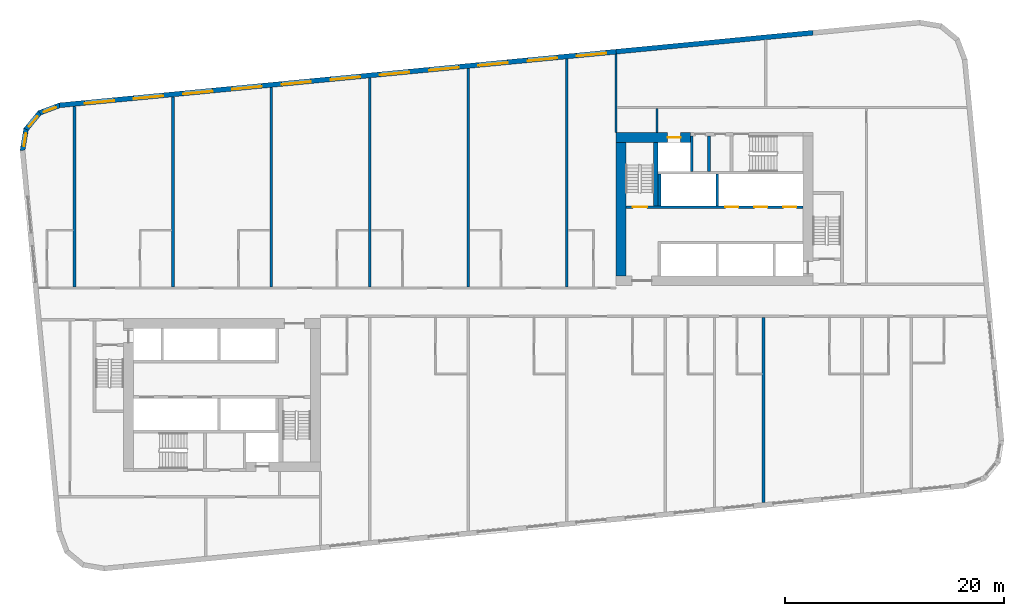
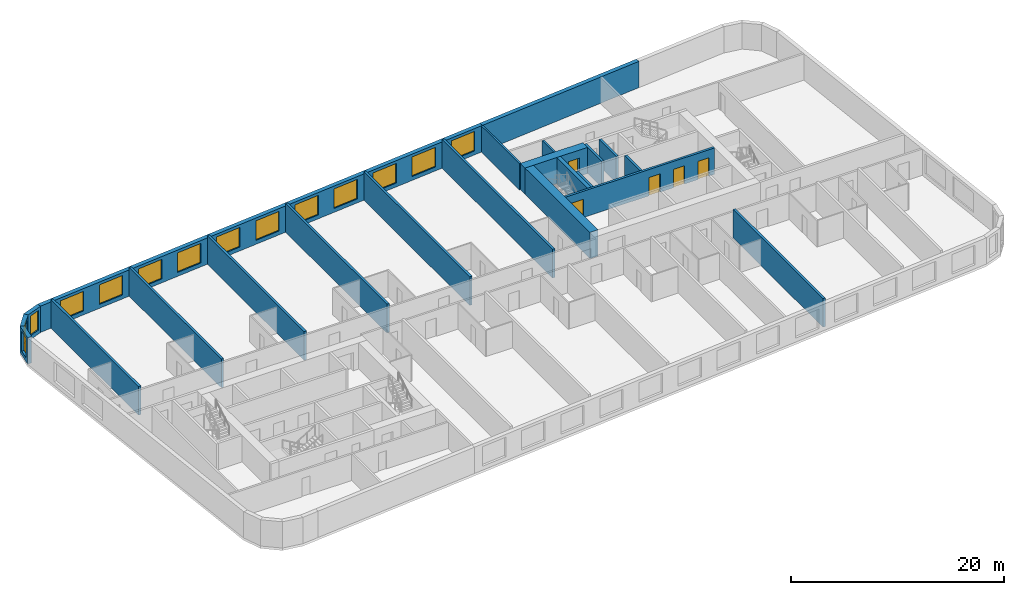
# One storey, part 6 of 12: 22 walls, 14 windows, 5 doors, 19 openings.
"""IFC4 building model written with IfcOpenShell, lengths in metres."""

from ifc_helpers import new_model, si_unit, direction, frame, frame_2d, origin, place, context, subcontext, project, spatial, polyline, rectangle, outline, extrude, material, layer, layer_set, type_object, element, fill, save


model = new_model("IFC4")

# Units and contexts
model_context = context("Model", 3, precision=1e-05, world=origin(), true_north=direction((0.0, 1.0)))
body_context = subcontext(model_context, "Body", "Model", "MODEL_VIEW")
ifc_project = project(units=[si_unit("LENGTHUNIT", "METRE"), si_unit("AREAUNIT", "SQUARE_METRE"), si_unit("VOLUMEUNIT", "CUBIC_METRE"), si_unit("PLANEANGLEUNIT", "RADIAN"), si_unit("MASSUNIT", "GRAM", prefix="KILO")], contexts=[model_context])

# Site, building, storey
site_placement = place(None, origin())
site = spatial("IfcSite", under=ifc_project, at=site_placement, CompositionType="ELEMENT")
building_placement = place(site_placement, origin())
building = spatial("IfcBuilding", under=site, at=building_placement, Name="Kajstack Hotel Tower", CompositionType="ELEMENT")
storey_placement = place(building_placement, frame((0.0, 0.0, 143.800048828125)))
storey = spatial("IfcBuildingStorey", under=building, at=storey_placement, Name="L33", CompositionType="ELEMENT", Elevation=143.800048828125)

# Wall, opening, door
ifc_material_1 = material(Name="Concrete C60/75", Category="concrete")
ifc_layer_1 = layer(ifc_material_1, 0.89990234375)
ifc_layer_set_1 = layer_set([ifc_layer_1], Name="Core wall 900")
wall_type_1 = type_object("IfcWallType", Name="Core wall 900", PredefinedType="SHEAR", material=ifc_layer_set_1)
wall_1_placement = place(storey_placement, frame((13.5, 15.050048828125, 0.0), z_axis=(0.0, 0.0, 1.0), x_axis=(1.0, 0.0, 0.0)))
wall_1 = element("IfcWall", 1, at=wall_1_placement, inside=storey, type_object=wall_type_1, Name="Core wall E RS", PredefinedType="SHEAR", context=body_context, shape_type="SweptSolid", body=[
    extrude(rectangle(XDim=6.800048828125, YDim=0.89990234375, at=frame_2d((3.39990234375, 0.0))), origin(), (0.0, 0.0, 1.0), 3.02001953125),
])
opening_1_placement = place(wall_1_placement, frame((4.72509765625, 0.0, 0.0)))
opening_1 = element("IfcOpeningElement", 2, at=opening_1_placement, cuts=wall_1, Name="Opening LD-SV2", PredefinedType="OPENING", context=body_context, shape_type="SweptSolid", body=[
    extrude(rectangle(XDim=1.199951171875, YDim=2.10009765625, at=frame_2d((0.60009765625, 1.050048828125))), frame((0.0, 0.4599609375, 0.0), z_axis=(0.0, -1.0, 0.0), x_axis=(1.0, 0.0, 0.0)), (0.0, 0.0, 1.0), 0.919921875),
])
ifc_material_2 = material(Name="Stainless steel", Category="steel")
door_type_1 = type_object("IfcDoorType", Name="Lift landing door 1200", OperationType="SLIDING_TO_LEFT", PredefinedType="DOOR", material=ifc_material_2)
door_1_placement = place(opening_1_placement, origin())
door_1 = element("IfcDoor", 3, at=door_1_placement, inside=storey, type_object=door_type_1, Name="Landing door SV2", OperationType="SLIDING_TO_LEFT", OverallHeight=2.10009765625, OverallWidth=1.199951171875, PredefinedType="DOOR", context=body_context, shape_type="SweptSolid", body=[
    extrude(rectangle(XDim=1.199951171875, YDim=2.10009765625, at=frame_2d((0.60009765625, 1.050048828125))), frame((0.0, 0.02490234375, 0.0), z_axis=(0.0, -1.0, 0.0), x_axis=(1.0, 0.0, 0.0)), (0.0, 0.0, 1.0), 0.050048828125),
])
fill(opening_1, door_1)

# Walls
wall_2_placement = place(storey_placement, frame((13.949951171875, 2.39990234375, 0.0), z_axis=(0.0, 0.0, 1.0), x_axis=(0.0, 1.0, 0.0)))
element("IfcWall", 4, at=wall_2_placement, inside=storey, type_object=wall_type_1, Name="Core wall E RE", PredefinedType="SHEAR", context=body_context, shape_type="SweptSolid", body=[
    extrude(rectangle(XDim=12.2001953125, YDim=0.89990234375, at=frame_2d((6.10009765625, 0.0))), origin(), (0.0, 0.0, 1.0), 3.02001953125),
])
ifc_material_3 = material(Name="Twin-frame gypsum board on steel studs, mineral wool", Category="steel")
ifc_layer_2 = layer(ifc_material_3, 0.199951171875)
ifc_layer_set_2 = layer_set([ifc_layer_2], Name="Demising wall 200")
wall_type_2 = type_object("IfcWallType", Name="Demising wall 200", PredefinedType="PARTITIONING", material=ifc_layer_set_2)
wall_3_placement = place(storey_placement, frame((13.5, 15.5, 0.0), z_axis=(0.0, 0.0, 1.0), x_axis=(0.0, 1.0, 0.0)))
element("IfcWall", 5, at=wall_3_placement, inside=storey, type_object=wall_type_2, Name="G-wall-L33-001", PredefinedType="PARTITIONING", context=body_context, shape_type="SweptSolid", body=[
    extrude(rectangle(XDim=7.162109375, YDim=0.199951171875, at=frame_2d((3.5810546875, 0.0))), origin(), (0.0, 0.0, 1.0), 3.02001953125),
])
ifc_material_4 = material(Name="Concrete C40/50", Category="concrete")
ifc_layer_3 = layer(ifc_material_4, 0.449951171875)
ifc_layer_set_3 = layer_set([ifc_layer_3], Name="EW-CORE")
wall_type_3 = type_object("IfcWallType", Name="EW-CORE", PredefinedType="SOLIDWALL", material=ifc_layer_set_3)
wall_4_placement = place(storey_placement, frame((31.521484375, 24.623291015625, 0.0), z_axis=(0.0, 0.0, 1.0), x_axis=(-0.995396454615, -0.095843091245, 0.0)))
element("IfcWall", 6, at=wall_4_placement, inside=storey, type_object=wall_type_3, Name="E-wall-L33-12-01", PredefinedType="SOLIDWALL", context=body_context, shape_type="SweptSolid", body=[
    extrude(rectangle(XDim=18.083251953125, YDim=0.449951171875, at=frame_2d((9.04150390625, 0.0))), origin(), (0.0, 0.0, 1.0), 3.02001953125),
])

# Wall, openings, windows
ifc_material_5 = material(Name="Terracotta-faced brick masonry", Category="masonry")
ifc_layer_4 = layer(ifc_material_5, 0.449951171875)
ifc_layer_set_4 = layer_set([ifc_layer_4], Name="EW-TERRA")
wall_type_4 = type_object("IfcWallType", Name="EW-TERRA", PredefinedType="SOLIDWALL", material=ifc_layer_set_4)
wall_5_placement = place(storey_placement, frame((13.521484375, 22.89013671875, 0.0), z_axis=(0.0, 0.0, 1.0), x_axis=(-0.995396445054, -0.095843190545, 0.0)))
wall_5 = element("IfcWall", 7, at=wall_5_placement, inside=storey, type_object=wall_type_4, Name="E-wall-L33-12-02", PredefinedType="SOLIDWALL", context=body_context, shape_type="SweptSolid", body=[
    extrude(rectangle(XDim=51.114013671875, YDim=0.449951171875, at=frame_2d((25.55712890625, 0.0))), origin(), (0.0, 0.0, 1.0), 3.02001953125),
])
opening_2_placement = place(wall_5_placement, frame((0.910400390625, 0.0, 0.449951171875)))
opening_2 = element("IfcOpeningElement", 8, at=opening_2_placement, cuts=wall_5, Name="Opening W1", PredefinedType="OPENING", context=body_context, shape_type="SweptSolid", body=[
    extrude(rectangle(XDim=2.699951171875, YDim=2.25, at=frame_2d((1.35009765625, 1.125))), frame((0.0, 0.23486328125, 0.0), z_axis=(0.0, -1.0, 0.0), x_axis=(1.0, 0.0, 0.0)), (0.0, 0.0, 1.0), 0.469970703125),
])
opening_3_placement = place(wall_5_placement, frame((5.43115234375, 0.0, 0.449951171875)))
opening_3 = element("IfcOpeningElement", 9, at=opening_3_placement, cuts=wall_5, Name="Opening W1", PredefinedType="OPENING", context=body_context, shape_type="SweptSolid", body=[
    extrude(rectangle(XDim=2.699951171875, YDim=2.25, at=frame_2d((1.35009765625, 1.125))), frame((0.0, 0.23486328125, 0.0), z_axis=(0.0, -1.0, 0.0), x_axis=(1.0, 0.0, 0.0)), (0.0, 0.0, 1.0), 0.469970703125),
])
opening_4_placement = place(wall_5_placement, frame((9.951904296875, 0.0, 0.449951171875)))
opening_4 = element("IfcOpeningElement", 10, at=opening_4_placement, cuts=wall_5, Name="Opening W1", PredefinedType="OPENING", context=body_context, shape_type="SweptSolid", body=[
    extrude(rectangle(XDim=2.699951171875, YDim=2.25, at=frame_2d((1.35009765625, 1.125))), frame((0.0, 0.23486328125, 0.0), z_axis=(0.0, -1.0, 0.0), x_axis=(1.0, 0.0, 0.0)), (0.0, 0.0, 1.0), 0.469970703125),
])
opening_5_placement = place(wall_5_placement, frame((14.472900390625, 0.0, 0.449951171875)))
opening_5 = element("IfcOpeningElement", 11, at=opening_5_placement, cuts=wall_5, Name="Opening W1", PredefinedType="OPENING", context=body_context, shape_type="SweptSolid", body=[
    extrude(rectangle(XDim=2.699951171875, YDim=2.25, at=frame_2d((1.35009765625, 1.125))), frame((0.0, 0.23486328125, 0.0), z_axis=(0.0, -1.0, 0.0), x_axis=(1.0, 0.0, 0.0)), (0.0, 0.0, 1.0), 0.469970703125),
])
opening_6_placement = place(wall_5_placement, frame((18.99365234375, 0.0, 0.449951171875)))
opening_6 = element("IfcOpeningElement", 12, at=opening_6_placement, cuts=wall_5, Name="Opening W1", PredefinedType="OPENING", context=body_context, shape_type="SweptSolid", body=[
    extrude(rectangle(XDim=2.699951171875, YDim=2.25, at=frame_2d((1.35009765625, 1.125))), frame((0.0, 0.23486328125, 0.0), z_axis=(0.0, -1.0, 0.0), x_axis=(1.0, 0.0, 0.0)), (0.0, 0.0, 1.0), 0.469970703125),
])
opening_7_placement = place(wall_5_placement, frame((23.514404296875, 0.0, 0.449951171875)))
opening_7 = element("IfcOpeningElement", 13, at=opening_7_placement, cuts=wall_5, Name="Opening W1", PredefinedType="OPENING", context=body_context, shape_type="SweptSolid", body=[
    extrude(rectangle(XDim=2.699951171875, YDim=2.25, at=frame_2d((1.35009765625, 1.125))), frame((0.0, 0.23486328125, 0.0), z_axis=(0.0, -1.0, 0.0), x_axis=(1.0, 0.0, 0.0)), (0.0, 0.0, 1.0), 0.469970703125),
])
opening_8_placement = place(wall_5_placement, frame((28.035400390625, 0.0, 0.449951171875)))
opening_8 = element("IfcOpeningElement", 14, at=opening_8_placement, cuts=wall_5, Name="Opening W1", PredefinedType="OPENING", context=body_context, shape_type="SweptSolid", body=[
    extrude(rectangle(XDim=2.699951171875, YDim=2.25, at=frame_2d((1.35009765625, 1.125))), frame((0.0, 0.23486328125, 0.0), z_axis=(0.0, -1.0, 0.0), x_axis=(1.0, 0.0, 0.0)), (0.0, 0.0, 1.0), 0.469970703125),
])
opening_9_placement = place(wall_5_placement, frame((32.55615234375, 0.0, 0.449951171875)))
opening_9 = element("IfcOpeningElement", 15, at=opening_9_placement, cuts=wall_5, Name="Opening W1", PredefinedType="OPENING", context=body_context, shape_type="SweptSolid", body=[
    extrude(rectangle(XDim=2.699951171875, YDim=2.25, at=frame_2d((1.35009765625, 1.125))), frame((0.0, 0.23486328125, 0.0), z_axis=(0.0, -1.0, 0.0), x_axis=(1.0, 0.0, 0.0)), (0.0, 0.0, 1.0), 0.469970703125),
])
opening_10_placement = place(wall_5_placement, frame((37.076904296875, 0.0, 0.449951171875)))
opening_10 = element("IfcOpeningElement", 16, at=opening_10_placement, cuts=wall_5, Name="Opening W1", PredefinedType="OPENING", context=body_context, shape_type="SweptSolid", body=[
    extrude(rectangle(XDim=2.699951171875, YDim=2.25, at=frame_2d((1.35009765625, 1.125))), frame((0.0, 0.23486328125, 0.0), z_axis=(0.0, -1.0, 0.0), x_axis=(1.0, 0.0, 0.0)), (0.0, 0.0, 1.0), 0.469970703125),
])
opening_11_placement = place(wall_5_placement, frame((41.59765625, 0.0, 0.449951171875)))
opening_11 = element("IfcOpeningElement", 17, at=opening_11_placement, cuts=wall_5, Name="Opening W1", PredefinedType="OPENING", context=body_context, shape_type="SweptSolid", body=[
    extrude(rectangle(XDim=2.699951171875, YDim=2.25, at=frame_2d((1.35009765625, 1.125))), frame((0.0, 0.23486328125, 0.0), z_axis=(0.0, -1.0, 0.0), x_axis=(1.0, 0.0, 0.0)), (0.0, 0.0, 1.0), 0.469970703125),
])
opening_12_placement = place(wall_5_placement, frame((46.118408203125, 0.0, 0.449951171875)))
opening_12 = element("IfcOpeningElement", 18, at=opening_12_placement, cuts=wall_5, Name="Opening W1", PredefinedType="OPENING", context=body_context, shape_type="SweptSolid", body=[
    extrude(rectangle(XDim=2.699951171875, YDim=2.25, at=frame_2d((1.35009765625, 1.125))), frame((0.0, 0.23486328125, 0.0), z_axis=(0.0, -1.0, 0.0), x_axis=(1.0, 0.0, 0.0)), (0.0, 0.0, 1.0), 0.469970703125),
])
ifc_material_6 = material(Name="Timber-aluminium window, triple glazed", Category="wood")
window_type_1 = type_object("IfcWindowType", Name="WG1", PartitioningType="SINGLE_PANEL", PredefinedType="WINDOW", material=ifc_material_6)
window_1_placement = place(opening_2_placement, origin())
window_1 = element("IfcWindow", 19, at=window_1_placement, inside=storey, type_object=window_type_1, Name="Window W1 L33-12", OverallHeight=2.25, OverallWidth=2.699951171875, PartitioningType="SINGLE_PANEL", PredefinedType="WINDOW", context=body_context, shape_type="SweptSolid", body=[
    extrude(rectangle(XDim=2.699951171875, YDim=2.25, at=frame_2d((1.35009765625, 1.125))), frame((0.0, 0.090087890625, 0.0), z_axis=(0.0, -1.0, 0.0), x_axis=(1.0, 0.0, 0.0)), (0.0, 0.0, 1.0), 0.06005859375),
])
fill(opening_2, window_1)
window_2_placement = place(opening_3_placement, origin())
window_2 = element("IfcWindow", 20, at=window_2_placement, inside=storey, type_object=window_type_1, Name="Window W1 L33-12", OverallHeight=2.25, OverallWidth=2.699951171875, PartitioningType="SINGLE_PANEL", PredefinedType="WINDOW", context=body_context, shape_type="SweptSolid", body=[
    extrude(rectangle(XDim=2.699951171875, YDim=2.25, at=frame_2d((1.35009765625, 1.125))), frame((0.0, 0.090087890625, 0.0), z_axis=(0.0, -1.0, 0.0), x_axis=(1.0, 0.0, 0.0)), (0.0, 0.0, 1.0), 0.06005859375),
])
fill(opening_3, window_2)
window_3_placement = place(opening_4_placement, origin())
window_3 = element("IfcWindow", 21, at=window_3_placement, inside=storey, type_object=window_type_1, Name="Window W1 L33-12", OverallHeight=2.25, OverallWidth=2.699951171875, PartitioningType="SINGLE_PANEL", PredefinedType="WINDOW", context=body_context, shape_type="SweptSolid", body=[
    extrude(rectangle(XDim=2.699951171875, YDim=2.25, at=frame_2d((1.35009765625, 1.125))), frame((0.0, 0.090087890625, 0.0), z_axis=(0.0, -1.0, 0.0), x_axis=(1.0, 0.0, 0.0)), (0.0, 0.0, 1.0), 0.06005859375),
])
fill(opening_4, window_3)
window_4_placement = place(opening_5_placement, origin())
window_4 = element("IfcWindow", 22, at=window_4_placement, inside=storey, type_object=window_type_1, Name="Window W1 L33-12", OverallHeight=2.25, OverallWidth=2.699951171875, PartitioningType="SINGLE_PANEL", PredefinedType="WINDOW", context=body_context, shape_type="SweptSolid", body=[
    extrude(rectangle(XDim=2.699951171875, YDim=2.25, at=frame_2d((1.35009765625, 1.125))), frame((0.0, 0.090087890625, 0.0), z_axis=(0.0, -1.0, 0.0), x_axis=(1.0, 0.0, 0.0)), (0.0, 0.0, 1.0), 0.06005859375),
])
fill(opening_5, window_4)
window_5_placement = place(opening_6_placement, origin())
window_5 = element("IfcWindow", 23, at=window_5_placement, inside=storey, type_object=window_type_1, Name="Window W1 L33-12", OverallHeight=2.25, OverallWidth=2.699951171875, PartitioningType="SINGLE_PANEL", PredefinedType="WINDOW", context=body_context, shape_type="SweptSolid", body=[
    extrude(rectangle(XDim=2.699951171875, YDim=2.25, at=frame_2d((1.35009765625, 1.125))), frame((0.0, 0.090087890625, 0.0), z_axis=(0.0, -1.0, 0.0), x_axis=(1.0, 0.0, 0.0)), (0.0, 0.0, 1.0), 0.06005859375),
])
fill(opening_6, window_5)
window_6_placement = place(opening_7_placement, origin())
window_6 = element("IfcWindow", 24, at=window_6_placement, inside=storey, type_object=window_type_1, Name="Window W1 L33-12", OverallHeight=2.25, OverallWidth=2.699951171875, PartitioningType="SINGLE_PANEL", PredefinedType="WINDOW", context=body_context, shape_type="SweptSolid", body=[
    extrude(rectangle(XDim=2.699951171875, YDim=2.25, at=frame_2d((1.35009765625, 1.125))), frame((0.0, 0.090087890625, 0.0), z_axis=(0.0, -1.0, 0.0), x_axis=(1.0, 0.0, 0.0)), (0.0, 0.0, 1.0), 0.06005859375),
])
fill(opening_7, window_6)
window_7_placement = place(opening_8_placement, origin())
window_7 = element("IfcWindow", 25, at=window_7_placement, inside=storey, type_object=window_type_1, Name="Window W1 L33-12", OverallHeight=2.25, OverallWidth=2.699951171875, PartitioningType="SINGLE_PANEL", PredefinedType="WINDOW", context=body_context, shape_type="SweptSolid", body=[
    extrude(rectangle(XDim=2.699951171875, YDim=2.25, at=frame_2d((1.35009765625, 1.125))), frame((0.0, 0.090087890625, 0.0), z_axis=(0.0, -1.0, 0.0), x_axis=(1.0, 0.0, 0.0)), (0.0, 0.0, 1.0), 0.06005859375),
])
fill(opening_8, window_7)
window_8_placement = place(opening_9_placement, origin())
window_8 = element("IfcWindow", 26, at=window_8_placement, inside=storey, type_object=window_type_1, Name="Window W1 L33-12", OverallHeight=2.25, OverallWidth=2.699951171875, PartitioningType="SINGLE_PANEL", PredefinedType="WINDOW", context=body_context, shape_type="SweptSolid", body=[
    extrude(rectangle(XDim=2.699951171875, YDim=2.25, at=frame_2d((1.35009765625, 1.125))), frame((0.0, 0.090087890625, 0.0), z_axis=(0.0, -1.0, 0.0), x_axis=(1.0, 0.0, 0.0)), (0.0, 0.0, 1.0), 0.06005859375),
])
fill(opening_9, window_8)
window_9_placement = place(opening_10_placement, origin())
window_9 = element("IfcWindow", 27, at=window_9_placement, inside=storey, type_object=window_type_1, Name="Window W1 L33-12", OverallHeight=2.25, OverallWidth=2.699951171875, PartitioningType="SINGLE_PANEL", PredefinedType="WINDOW", context=body_context, shape_type="SweptSolid", body=[
    extrude(rectangle(XDim=2.699951171875, YDim=2.25, at=frame_2d((1.35009765625, 1.125))), frame((0.0, 0.090087890625, 0.0), z_axis=(0.0, -1.0, 0.0), x_axis=(1.0, 0.0, 0.0)), (0.0, 0.0, 1.0), 0.06005859375),
])
fill(opening_10, window_9)
window_10_placement = place(opening_11_placement, origin())
window_10 = element("IfcWindow", 28, at=window_10_placement, inside=storey, type_object=window_type_1, Name="Window W1 L33-12", OverallHeight=2.25, OverallWidth=2.699951171875, PartitioningType="SINGLE_PANEL", PredefinedType="WINDOW", context=body_context, shape_type="SweptSolid", body=[
    extrude(rectangle(XDim=2.699951171875, YDim=2.25, at=frame_2d((1.35009765625, 1.125))), frame((0.0, 0.090087890625, 0.0), z_axis=(0.0, -1.0, 0.0), x_axis=(1.0, 0.0, 0.0)), (0.0, 0.0, 1.0), 0.06005859375),
])
fill(opening_11, window_10)
window_11_placement = place(opening_12_placement, origin())
window_11 = element("IfcWindow", 29, at=window_11_placement, inside=storey, type_object=window_type_1, Name="Window W1 L33-12", OverallHeight=2.25, OverallWidth=2.699951171875, PartitioningType="SINGLE_PANEL", PredefinedType="WINDOW", context=body_context, shape_type="SweptSolid", body=[
    extrude(rectangle(XDim=2.699951171875, YDim=2.25, at=frame_2d((1.35009765625, 1.125))), frame((0.0, 0.090087890625, 0.0), z_axis=(0.0, -1.0, 0.0), x_axis=(1.0, 0.0, 0.0)), (0.0, 0.0, 1.0), 0.06005859375),
])
fill(opening_12, window_11)

# Wall, opening, window
wall_6_placement = place(storey_placement, frame((-37.300048828125, 18.00439453125, 0.0), z_axis=(0.0, 0.0, 1.0), x_axis=(-0.936677599948, -0.350192909346, 0.0)))
wall_6 = element("IfcWall", 30, at=wall_6_placement, inside=storey, type_object=wall_type_4, Name="E-wall-L33-13-00", PredefinedType="SOLIDWALL", context=body_context, shape_type="SweptSolid", body=[
    extrude(outline(polyline([(0.0, -0.224853515625), (2.070556640625, -0.224853515625), (1.949951171875, 0.22509765625), (0.12060546875, 0.22509765625), (0.0, -0.224853515625)])), origin(), (0.0, 0.0, 1.0), 3.02001953125),
])
opening_13_placement = place(wall_6_placement, frame((0.435302734375, 0.0, 0.449951171875)))
opening_13 = element("IfcOpeningElement", 31, at=opening_13_placement, cuts=wall_6, Name="Opening W3", PredefinedType="OPENING", context=body_context, shape_type="SweptSolid", body=[
    extrude(rectangle(XDim=1.199951171875, YDim=2.25, at=frame_2d((0.60009765625, 1.125))), frame((0.0, 0.23486328125, 0.0), z_axis=(0.0, -1.0, 0.0), x_axis=(1.0, 0.0, 0.0)), (0.0, 0.0, 1.0), 0.469970703125),
])
window_type_2 = type_object("IfcWindowType", Name="WG3", PartitioningType="SINGLE_PANEL", PredefinedType="WINDOW", material=ifc_material_6)
window_12_placement = place(opening_13_placement, origin())
window_12 = element("IfcWindow", 32, at=window_12_placement, inside=storey, type_object=window_type_2, Name="Window W3 L33-13", OverallHeight=2.25, OverallWidth=1.199951171875, PartitioningType="SINGLE_PANEL", PredefinedType="WINDOW", context=body_context, shape_type="SweptSolid", body=[
    extrude(rectangle(XDim=1.199951171875, YDim=2.25, at=frame_2d((0.60009765625, 1.125))), frame((0.0, 0.090087890625, 0.0), z_axis=(0.0, -1.0, 0.0), x_axis=(1.0, 0.0, 0.0)), (0.0, 0.0, 1.0), 0.06005859375),
])
fill(opening_13, window_12)

wall_7_placement = place(storey_placement, frame((-39.144775390625, 17.346923828125, 0.0), z_axis=(0.0, 0.0, 1.0), x_axis=(-0.636046112757, -0.771651049663, 0.0)))
wall_7 = element("IfcWall", 33, at=wall_7_placement, inside=storey, type_object=wall_type_4, Name="E-wall-L33-14-00", PredefinedType="SOLIDWALL", context=body_context, shape_type="SweptSolid", body=[
    extrude(outline(polyline([(0.0, -0.224853515625), (2.070556640625, -0.224853515625), (1.949951171875, 0.22509765625), (0.12060546875, 0.22509765625), (0.0, -0.224853515625)])), origin(), (0.0, 0.0, 1.0), 3.02001953125),
])
opening_14_placement = place(wall_7_placement, frame((0.435302734375, 0.0, 0.449951171875)))
opening_14 = element("IfcOpeningElement", 34, at=opening_14_placement, cuts=wall_7, Name="Opening W3", PredefinedType="OPENING", context=body_context, shape_type="SweptSolid", body=[
    extrude(rectangle(XDim=1.199951171875, YDim=2.25, at=frame_2d((0.60009765625, 1.125))), frame((0.0, 0.23486328125, 0.0), z_axis=(0.0, -1.0, 0.0), x_axis=(1.0, 0.0, 0.0)), (0.0, 0.0, 1.0), 0.469970703125),
])
window_13_placement = place(opening_14_placement, origin())
window_13 = element("IfcWindow", 35, at=window_13_placement, inside=storey, type_object=window_type_2, Name="Window W3 L33-14", OverallHeight=2.25, OverallWidth=1.199951171875, PartitioningType="SINGLE_PANEL", PredefinedType="WINDOW", context=body_context, shape_type="SweptSolid", body=[
    extrude(rectangle(XDim=1.199951171875, YDim=2.25, at=frame_2d((0.60009765625, 1.125))), frame((0.0, 0.090087890625, 0.0), z_axis=(0.0, -1.0, 0.0), x_axis=(1.0, 0.0, 0.0)), (0.0, 0.0, 1.0), 0.06005859375),
])
fill(opening_14, window_13)

wall_8_placement = place(storey_placement, frame((-40.413330078125, 15.855224609375, 0.0), z_axis=(0.0, 0.0, 1.0), x_axis=(-0.165068144653, -0.986282164302, 0.0)))
wall_8 = element("IfcWall", 36, at=wall_8_placement, inside=storey, type_object=wall_type_4, Name="E-wall-L33-15-00", PredefinedType="SOLIDWALL", context=body_context, shape_type="SweptSolid", body=[
    extrude(outline(polyline([(0.0, -0.22509765625), (2.070556640625, -0.224853515625), (1.9501953125, 0.22509765625), (0.12060546875, 0.224853515625), (0.0, -0.22509765625)])), origin(), (0.0, 0.0, 1.0), 3.02001953125),
])
opening_15_placement = place(wall_8_placement, frame((0.435302734375, 0.0, 0.449951171875)))
opening_15 = element("IfcOpeningElement", 37, at=opening_15_placement, cuts=wall_8, Name="Opening W3", PredefinedType="OPENING", context=body_context, shape_type="SweptSolid", body=[
    extrude(rectangle(XDim=1.199951171875, YDim=2.25, at=frame_2d((0.60009765625, 1.125))), frame((0.0, 0.23486328125, 0.0), z_axis=(0.0, -1.0, 0.0), x_axis=(1.0, 0.0, 0.0)), (0.0, 0.0, 1.0), 0.469970703125),
])
window_14_placement = place(opening_15_placement, origin())
window_14 = element("IfcWindow", 38, at=window_14_placement, inside=storey, type_object=window_type_2, Name="Window W3 L33-15", OverallHeight=2.25, OverallWidth=1.199951171875, PartitioningType="SINGLE_PANEL", PredefinedType="WINDOW", context=body_context, shape_type="SweptSolid", body=[
    extrude(rectangle(XDim=1.199951171875, YDim=2.25, at=frame_2d((0.60009765625, 1.125))), frame((0.0, 0.090087890625, 0.0), z_axis=(0.0, -1.0, 0.0), x_axis=(1.0, 0.0, 0.0)), (0.0, 0.0, 1.0), 0.06005859375),
])
fill(opening_15, window_14)

# Walls
ifc_material_7 = material(Name="Concrete C50/60", Category="concrete")
ifc_layer_5 = layer(ifc_material_7, 0.300048828125)
ifc_layer_set_5 = layer_set([ifc_layer_5], Name="Hoistway divider wall 300")
wall_type_5 = type_object("IfcWallType", Name="Hoistway divider wall 300", PredefinedType="SHEAR", material=ifc_layer_set_5)
wall_9_placement = place(storey_placement, frame((22.77490234375, 8.800048828125, 0.0), z_axis=(0.0, 0.0, 1.0), x_axis=(0.0, 1.0, 0.0)))
element("IfcWall", 39, at=wall_9_placement, inside=storey, type_object=wall_type_5, Name="Core wall E BP2", PredefinedType="SHEAR", context=body_context, shape_type="SweptSolid", body=[
    extrude(rectangle(XDim=2.89990234375, YDim=0.25, at=frame_2d((1.449951171875, 0.0))), origin(), (0.0, 0.0, 1.0), 3.02001953125),
])
ifc_material_8 = material(Name="Concrete C55/67", Category="concrete")
ifc_layer_6 = layer(ifc_material_8, 0.25)
ifc_layer_set_6 = layer_set([ifc_layer_6], Name="RC cross wall 250 C55/67")
wall_type_6 = type_object("IfcWallType", Name="RC cross wall 250 C55/67", PredefinedType="SHEAR", material=ifc_layer_set_6)
wall_10_placement = place(storey_placement, frame((-36.0, 1.39990234375, 0.0), z_axis=(0.0, 0.0, 1.0), x_axis=(0.0, 1.0, 0.0)))
element("IfcWall", 40, at=wall_10_placement, inside=storey, type_object=wall_type_6, Name="S-wall-L33-01", PredefinedType="SHEAR", context=body_context, shape_type="SweptSolid", body=[
    extrude(rectangle(XDim=16.473876953125, YDim=0.25, at=frame_2d((8.23681640625, 0.0))), origin(), (0.0, 0.0, 1.0), 3.300048828125),
])
wall_11_placement = place(storey_placement, frame((-27.0, 1.39990234375, 0.0), z_axis=(0.0, 0.0, 1.0), x_axis=(0.0, 1.0, 0.0)))
element("IfcWall", 41, at=wall_11_placement, inside=storey, type_object=wall_type_6, Name="S-wall-L33-02", PredefinedType="SHEAR", context=body_context, shape_type="SweptSolid", body=[
    extrude(rectangle(XDim=17.34033203125, YDim=0.25, at=frame_2d((8.670166015625, 0.0))), origin(), (0.0, 0.0, 1.0), 3.300048828125),
])
wall_12_placement = place(storey_placement, frame((-18.0, 1.39990234375, 0.0), z_axis=(0.0, 0.0, 1.0), x_axis=(0.0, 1.0, 0.0)))
element("IfcWall", 42, at=wall_12_placement, inside=storey, type_object=wall_type_6, Name="S-wall-L33-03", PredefinedType="SHEAR", context=body_context, shape_type="SweptSolid", body=[
    extrude(rectangle(XDim=18.20703125, YDim=0.25, at=frame_2d((9.103515625, 0.0))), origin(), (0.0, 0.0, 1.0), 3.300048828125),
])
wall_13_placement = place(storey_placement, frame((-9.0, 1.39990234375, 0.0), z_axis=(0.0, 0.0, 1.0), x_axis=(0.0, 1.0, 0.0)))
element("IfcWall", 43, at=wall_13_placement, inside=storey, type_object=wall_type_6, Name="S-wall-L33-05", PredefinedType="SHEAR", context=body_context, shape_type="SweptSolid", body=[
    extrude(rectangle(XDim=19.073486328125, YDim=0.25, at=frame_2d((9.53662109375, 0.0))), origin(), (0.0, 0.0, 1.0), 3.300048828125),
])
wall_14_placement = place(storey_placement, frame((0.0, 1.39990234375, 0.0), z_axis=(0.0, 0.0, 1.0), x_axis=(0.0, 1.0, 0.0)))
element("IfcWall", 44, at=wall_14_placement, inside=storey, type_object=wall_type_6, Name="S-wall-L33-07", PredefinedType="SHEAR", context=body_context, shape_type="SweptSolid", body=[
    extrude(rectangle(XDim=19.940185546875, YDim=0.25, at=frame_2d((9.97021484375, 0.0))), origin(), (0.0, 0.0, 1.0), 3.300048828125),
])
wall_15_placement = place(storey_placement, frame((9.0, 1.39990234375, 0.0), z_axis=(0.0, 0.0, 1.0), x_axis=(0.0, 1.0, 0.0)))
element("IfcWall", 45, at=wall_15_placement, inside=storey, type_object=wall_type_6, Name="S-wall-L33-09", PredefinedType="SHEAR", context=body_context, shape_type="SweptSolid", body=[
    extrude(rectangle(XDim=20.806884765625, YDim=0.25, at=frame_2d((10.4033203125, 0.0))), origin(), (0.0, 0.0, 1.0), 3.300048828125),
])
wall_16_placement = place(storey_placement, frame((27.0, -18.310546875, 0.0), z_axis=(0.0, 0.0, 1.0), x_axis=(0.0, 1.0, 0.0)))
element("IfcWall", 46, at=wall_16_placement, inside=storey, type_object=wall_type_6, Name="S-wall-L33-11", PredefinedType="SHEAR", context=body_context, shape_type="SweptSolid", body=[
    extrude(rectangle(XDim=16.91064453125, YDim=0.25, at=frame_2d((8.455322265625, 0.0))), origin(), (0.0, 0.0, 1.0), 3.300048828125),
])
ifc_material_9 = material(Name="Concrete block masonry", Category="masonry")
ifc_layer_7 = layer(ifc_material_9, 0.25)
ifc_layer_set_7 = layer_set([ifc_layer_7], Name="Riser partition 250")
wall_type_7 = type_object("IfcWallType", Name="Riser partition 250", PredefinedType="PARTITIONING", material=ifc_layer_set_7)
wall_17_placement = place(storey_placement, frame((22.0, 11.949951171875, 0.0), z_axis=(0.0, 0.0, 1.0), x_axis=(0.0, 1.0, 0.0)))
element("IfcWall", 47, at=wall_17_placement, inside=storey, type_object=wall_type_7, Name="Partition E SZ0", PredefinedType="PARTITIONING", context=body_context, shape_type="SweptSolid", body=[
    extrude(rectangle(XDim=3.25, YDim=0.25, at=frame_2d((1.625, 0.0))), origin(), (0.0, 0.0, 1.0), 3.02001953125),
])
ifc_material_10 = material(Name="Gypsum board on steel studs, mineral wool", Category="steel")
ifc_layer_8 = layer(ifc_material_10, 0.199951171875)
ifc_layer_set_8 = layer_set([ifc_layer_8], Name="Service partition 200")
wall_type_8 = type_object("IfcWallType", Name="Service partition 200", PredefinedType="PARTITIONING", material=ifc_layer_set_8)
wall_18_placement = place(storey_placement, frame((17.25, 15.5, 0.0), z_axis=(0.0, 0.0, 1.0), x_axis=(0.0, 1.0, 0.0)))
element("IfcWall", 48, at=wall_18_placement, inside=storey, type_object=wall_type_8, Name="Partition E SCE", PredefinedType="PARTITIONING", context=body_context, shape_type="SweptSolid", body=[
    extrude(rectangle(XDim=2.199951171875, YDim=0.199951171875, at=frame_2d((1.10009765625, 0.0))), origin(), (0.0, 0.0, 1.0), 3.02001953125),
])

# Wall, openings, doors
ifc_layer_9 = layer(ifc_material_7, 0.25)
ifc_layer_set_9 = layer_set([ifc_layer_9], Name="Shaft wall 250")
wall_type_9 = type_object("IfcWallType", Name="Shaft wall 250", PredefinedType="SHEAR", material=ifc_layer_set_9)
wall_19_placement = place(storey_placement, frame((14.39990234375, 8.675048828125, 0.0), z_axis=(0.0, 0.0, 1.0), x_axis=(1.0, 0.0, 0.0)))
wall_19 = element("IfcWall", 49, at=wall_19_placement, inside=storey, type_object=wall_type_9, Name="Core wall E FB", PredefinedType="SHEAR", context=body_context, shape_type="SweptSolid", body=[
    extrude(rectangle(XDim=16.2001953125, YDim=0.25, at=frame_2d((8.10009765625, 0.0))), origin(), (0.0, 0.0, 1.0), 3.02001953125),
])
opening_16_placement = place(wall_19_placement, frame((14.39990234375, 0.0, 0.0)))
opening_16 = element("IfcOpeningElement", 50, at=opening_16_placement, cuts=wall_19, Name="Opening LD-LR4", PredefinedType="OPENING", context=body_context, shape_type="SweptSolid", body=[
    extrude(rectangle(XDim=1.199951171875, YDim=2.10009765625, at=frame_2d((0.60009765625, 1.050048828125))), frame((0.0, 0.135009765625, 0.0), z_axis=(0.0, -1.0, 0.0), x_axis=(1.0, 0.0, 0.0)), (0.0, 0.0, 1.0), 0.27001953125),
])
opening_17_placement = place(wall_19_placement, frame((11.75, 0.0, 0.0)))
opening_17 = element("IfcOpeningElement", 51, at=opening_17_placement, cuts=wall_19, Name="Opening LD-LR5", PredefinedType="OPENING", context=body_context, shape_type="SweptSolid", body=[
    extrude(rectangle(XDim=1.199951171875, YDim=2.10009765625, at=frame_2d((0.60009765625, 1.050048828125))), frame((0.0, 0.135009765625, 0.0), z_axis=(0.0, -1.0, 0.0), x_axis=(1.0, 0.0, 0.0)), (0.0, 0.0, 1.0), 0.27001953125),
])
opening_18_placement = place(wall_19_placement, frame((9.10009765625, 0.0, 0.0)))
opening_18 = element("IfcOpeningElement", 52, at=opening_18_placement, cuts=wall_19, Name="Opening LD-LR6", PredefinedType="OPENING", context=body_context, shape_type="SweptSolid", body=[
    extrude(rectangle(XDim=1.199951171875, YDim=2.10009765625, at=frame_2d((0.60009765625, 1.050048828125))), frame((0.0, 0.135009765625, 0.0), z_axis=(0.0, -1.0, 0.0), x_axis=(1.0, 0.0, 0.0)), (0.0, 0.0, 1.0), 0.27001953125),
])
opening_19_placement = place(wall_19_placement, frame((0.64990234375, 0.0, 0.0)))
opening_19 = element("IfcOpeningElement", 53, at=opening_19_placement, cuts=wall_19, Name="Opening 33E10", PredefinedType="OPENING", context=body_context, shape_type="SweptSolid", body=[
    extrude(rectangle(XDim=1.300048828125, YDim=2.10009765625, at=frame_2d((0.64990234375, 1.050048828125))), frame((0.0, 0.135009765625, 0.0), z_axis=(0.0, -1.0, 0.0), x_axis=(1.0, 0.0, 0.0)), (0.0, 0.0, 1.0), 0.27001953125),
])
door_2_placement = place(opening_16_placement, origin())
door_2 = element("IfcDoor", 54, at=door_2_placement, inside=storey, type_object=door_type_1, Name="Landing door LR4", OperationType="SLIDING_TO_LEFT", OverallHeight=2.10009765625, OverallWidth=1.199951171875, PredefinedType="DOOR", context=body_context, shape_type="SweptSolid", body=[
    extrude(rectangle(XDim=1.199951171875, YDim=2.10009765625, at=frame_2d((0.60009765625, 1.050048828125))), frame((0.0, 0.02490234375, 0.0), z_axis=(0.0, -1.0, 0.0), x_axis=(1.0, 0.0, 0.0)), (0.0, 0.0, 1.0), 0.050048828125),
])
fill(opening_16, door_2)
door_3_placement = place(opening_17_placement, origin())
door_3 = element("IfcDoor", 55, at=door_3_placement, inside=storey, type_object=door_type_1, Name="Landing door LR5", OperationType="SLIDING_TO_RIGHT", OverallHeight=2.10009765625, OverallWidth=1.199951171875, PredefinedType="DOOR", context=body_context, shape_type="SweptSolid", body=[
    extrude(rectangle(XDim=1.199951171875, YDim=2.10009765625, at=frame_2d((0.60009765625, 1.050048828125))), frame((0.0, 0.02490234375, 0.0), z_axis=(0.0, -1.0, 0.0), x_axis=(1.0, 0.0, 0.0)), (0.0, 0.0, 1.0), 0.050048828125),
])
fill(opening_17, door_3)
door_4_placement = place(opening_18_placement, origin())
door_4 = element("IfcDoor", 56, at=door_4_placement, inside=storey, type_object=door_type_1, Name="Landing door LR6", OperationType="SLIDING_TO_RIGHT", OverallHeight=2.10009765625, OverallWidth=1.199951171875, PredefinedType="DOOR", context=body_context, shape_type="SweptSolid", body=[
    extrude(rectangle(XDim=1.199951171875, YDim=2.10009765625, at=frame_2d((0.60009765625, 1.050048828125))), frame((0.0, 0.02490234375, 0.0), z_axis=(0.0, -1.0, 0.0), x_axis=(1.0, 0.0, 0.0)), (0.0, 0.0, 1.0), 0.050048828125),
])
fill(opening_18, door_4)
ifc_material_11 = material(Name="Steel leaf, fire-rated", Category="steel")
door_type_2 = type_object("IfcDoorType", Name="Stair door 1300", OperationType="SINGLE_SWING_LEFT", PredefinedType="DOOR", material=ifc_material_11)
door_5_placement = place(opening_19_placement, origin())
door_5 = element("IfcDoor", 57, at=door_5_placement, inside=storey, type_object=door_type_2, Name="Door 33E10", OperationType="SINGLE_SWING_LEFT", OverallHeight=2.10009765625, OverallWidth=1.300048828125, PredefinedType="DOOR", context=body_context, shape_type="SweptSolid", body=[
    extrude(rectangle(XDim=1.300048828125, YDim=2.10009765625, at=frame_2d((0.64990234375, 1.050048828125))), frame((0.0, 0.02490234375, 0.0), z_axis=(0.0, -1.0, 0.0), x_axis=(1.0, 0.0, 0.0)), (0.0, 0.0, 1.0), 0.050048828125),
])
fill(opening_19, door_5)

# Walls
wall_20_placement = place(storey_placement, frame((17.47509765625, 8.800048828125, 0.0), z_axis=(0.0, 0.0, 1.0), x_axis=(0.0, 1.0, 0.0)))
element("IfcWall", 58, at=wall_20_placement, inside=storey, type_object=wall_type_9, Name="Core wall E BE", PredefinedType="SHEAR", context=body_context, shape_type="SweptSolid", body=[
    extrude(rectangle(XDim=2.89990234375, YDim=0.25, at=frame_2d((1.449951171875, 0.0))), origin(), (0.0, 0.0, 1.0), 3.02001953125),
])
wall_21_placement = place(storey_placement, frame((20.425048828125, 11.949951171875, 0.0), z_axis=(0.0, 0.0, 1.0), x_axis=(0.0, 1.0, 0.0)))
element("IfcWall", 59, at=wall_21_placement, inside=storey, type_object=wall_type_9, Name="Core wall E SVW", PredefinedType="SHEAR", context=body_context, shape_type="SweptSolid", body=[
    extrude(rectangle(XDim=3.25, YDim=0.25, at=frame_2d((1.625, 0.0))), origin(), (0.0, 0.0, 1.0), 3.02001953125),
])
ifc_layer_10 = layer(ifc_material_7, 0.39990234375)
ifc_layer_set_10 = layer_set([ifc_layer_10], Name="Stair wall 400")
wall_type_10 = type_object("IfcWallType", Name="Stair wall 400", PredefinedType="SHEAR", material=ifc_layer_set_10)
wall_22_placement = place(storey_placement, frame((17.14990234375, 8.800048828125, 0.0), z_axis=(0.0, 0.0, 1.0), x_axis=(0.0, 1.0, 0.0)))
element("IfcWall", 60, at=wall_22_placement, inside=storey, type_object=wall_type_10, Name="Core wall E WW2", PredefinedType="SHEAR", context=body_context, shape_type="SweptSolid", body=[
    extrude(rectangle(XDim=5.800048828125, YDim=0.39990234375, at=frame_2d((2.89990234375, 0.0))), origin(), (0.0, 0.0, 1.0), 3.02001953125),
])

save(model, "model.ifc")
